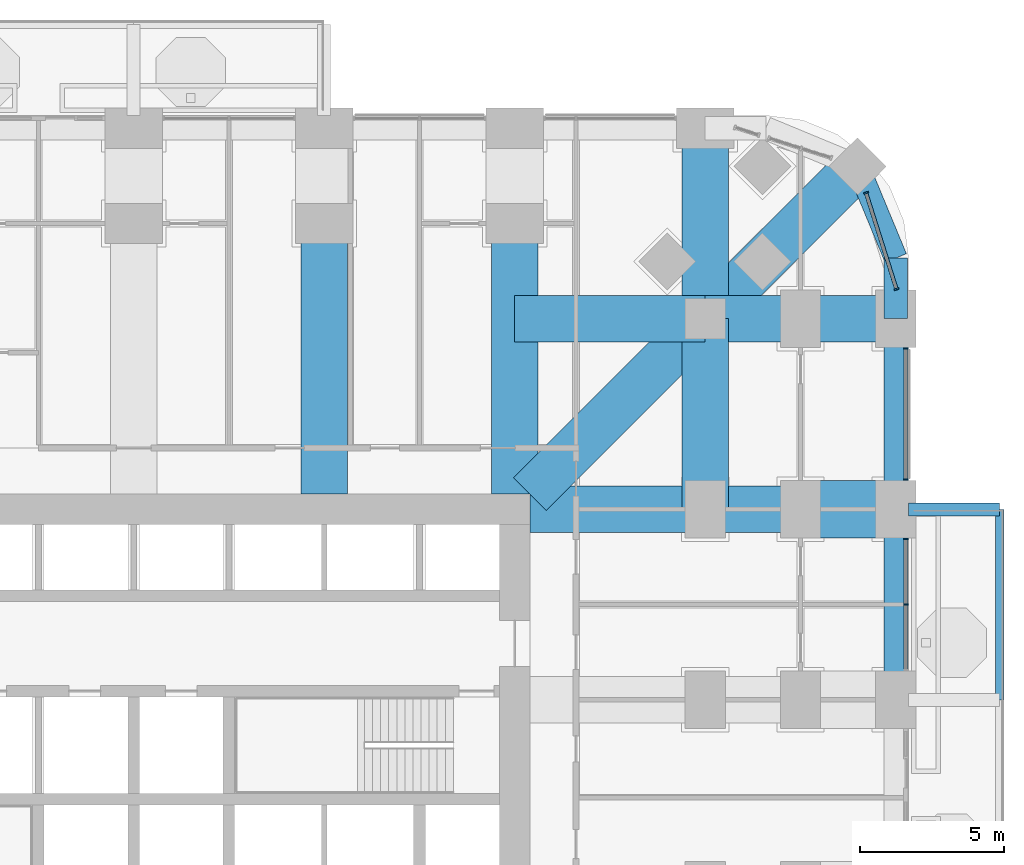
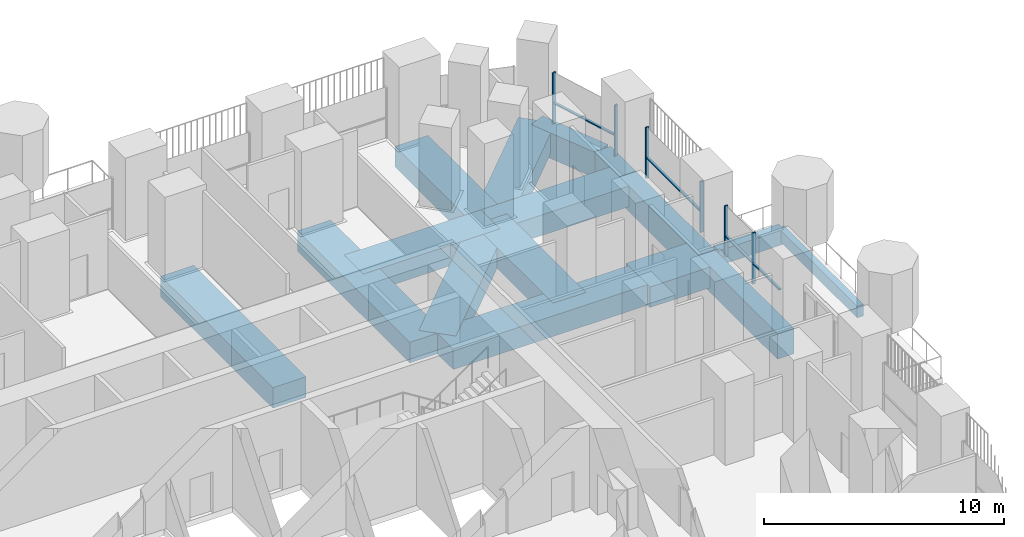
# One storey, part 8 of 25: 16 beams, 10 members, 3 elements without a shape of their own.
"""IFC4 building model written with IfcOpenShell, lengths in metres."""

from ifc_helpers import new_model, si_unit, direction, frame, origin, origin_2d, place, context, subcontext, project, spatial, rectangle, extrude, material, material_profile, profile_set, type_object, element, aggregate, save


model = new_model("IFC4")

# Units and contexts
model_context = context("Model", 3, precision=1e-05, world=origin(), true_north=direction((0.0, 1.0)))
body_context = subcontext(model_context, "Body", "Model", "MODEL_VIEW")
ifc_project = project(units=[si_unit("LENGTHUNIT", "METRE"), si_unit("AREAUNIT", "SQUARE_METRE"), si_unit("VOLUMEUNIT", "CUBIC_METRE"), si_unit("PLANEANGLEUNIT", "RADIAN"), si_unit("MASSUNIT", "GRAM", prefix="KILO")], contexts=[model_context])

# Site, building, storey
site_placement = place(None, origin())
site = spatial("IfcSite", under=ifc_project, at=site_placement, CompositionType="ELEMENT")
building_placement = place(site_placement, origin())
building = spatial("IfcBuilding", under=site, at=building_placement, Name="Cobogo Forest Laboratory Tower", CompositionType="ELEMENT")
storey_placement = place(building_placement, frame((0.0, 0.0, 67.5)))
storey = spatial("IfcBuildingStorey", under=building, at=storey_placement, Name="L15", CompositionType="ELEMENT", Elevation=67.5)

# Beams
ifc_material_1 = material(Name="Concrete HA-40 (C40/50)", Category="concrete")
ifc_material_profile_1 = material_profile(ifc_material_1, rectangle(XDim=0.449951171875, YDim=0.75, at=origin_2d()), Name="RC 450x750")
ifc_profile_set_1 = profile_set([ifc_material_profile_1], Name="Concrete HA-40 (C40/50)")
beam_type_1 = type_object("IfcBeamType", Name="Balcony cantilever beam 450x750", PredefinedType="BEAM", material=ifc_profile_set_1)
beam_1_placement = place(storey_placement, frame((53.25, 33.0, -0.625), z_axis=(1.0, 0.0, 0.0), x_axis=(0.0, 1.0, 0.0)))
element("IfcBeam", 1, at=beam_1_placement, inside=storey, type_object=beam_type_1, Name="CB1 BAL-E1-C3 L15", PredefinedType="BEAM", context=body_context, shape_type="SweptSolid", body=[
    extrude(rectangle(XDim=0.449951171875, YDim=0.75, at=origin_2d()), origin(), (0.0, 0.0, 1.0), 3.14990234375),
])
ifc_material_profile_2 = material_profile(ifc_material_1, rectangle(XDim=0.300048828125, YDim=0.60009765625, at=origin_2d()), Name="RC 300x600")
ifc_profile_set_2 = profile_set([ifc_material_profile_2], Name="Concrete HA-40 (C40/50)")
beam_type_2 = type_object("IfcBeamType", Name="Balcony edge beam 300x600", PredefinedType="BEAM", material=ifc_profile_set_2)
beam_2_placement = place(storey_placement, frame((56.39990234375, 26.39990234375, -0.550048828125), z_axis=(0.0, 1.0, 0.0), x_axis=(-1.0, 0.0, 0.0)))
element("IfcBeam", 2, at=beam_2_placement, inside=storey, type_object=beam_type_2, Name="BB1 BAL-E1-T2 L15", PredefinedType="BEAM", context=body_context, shape_type="SweptSolid", body=[
    extrude(rectangle(XDim=0.300048828125, YDim=0.60009765625, at=origin_2d()), origin(), (0.0, 0.0, 1.0), 6.60009765625),
])
ifc_material_2 = material(Name="Concrete HA-50 (C50/60)", Category="concrete")
ifc_material_profile_3 = material_profile(ifc_material_2, rectangle(XDim=2.0, YDim=1.050048828125, at=origin_2d()), Name="RC 2000x1050")
ifc_profile_set_3 = profile_set([ifc_material_profile_3], Name="Concrete HA-50 (C50/60)")
beam_type_3 = type_object("IfcBeamType", Name="End-bay wide beam 2000x1050", PredefinedType="BEAM", material=ifc_profile_set_3)
beam_3_placement = place(storey_placement, frame((52.800048828125, 33.0, -0.824951171875), z_axis=(-1.0, 0.0, 0.0), x_axis=(0.0, -1.0, 0.0)))
element("IfcBeam", 3, at=beam_3_placement, inside=storey, type_object=beam_type_3, Name="RB7 R-F-E-X L15", PredefinedType="BEAM", context=body_context, shape_type="SweptSolid", body=[
    extrude(rectangle(XDim=2.0, YDim=1.050048828125, at=origin_2d()), origin(), (0.0, 0.0, 1.0), 3.300048828125),
])
ifc_material_profile_4 = material_profile(ifc_material_2, rectangle(XDim=1.60009765625, YDim=1.050048828125, at=origin_2d()), Name="RC 1600x1050")
ifc_profile_set_4 = profile_set([ifc_material_profile_4], Name="Concrete HA-50 (C50/60)")
beam_type_4 = type_object("IfcBeamType", Name="Laboratory floor wide beam 1600x1050", PredefinedType="BEAM", material=ifc_profile_set_4)
for number, where, z_axis, x_axis, name in (
    (4, (33.0, 33.52490234375, -0.824951171875), (0.0, 1.0, 0.0), (-1.0, 0.0, 0.0), "RB8 R-6-N L15"),
    (5, (39.60009765625, 33.52490234375, -0.824951171875), (0.0, 1.0, 0.0), (-1.0, 0.0, 0.0), "RB8 R-7-N L15"),
    (6, (40.125, 33.0, -0.824951171875), (1.0, 0.0, 0.0), (0.0, 1.0, 0.0), "RB8 R-F-E L15"),
):
    element("IfcBeam", number, at=place(storey_placement, frame(where, z_axis=z_axis, x_axis=x_axis)), inside=storey, type_object=beam_type_4, Name=name, PredefinedType="BEAM", context=body_context, shape_type="SweptSolid", body=[
        extrude(rectangle(XDim=1.60009765625, YDim=1.050048828125, at=origin_2d()), origin(), (0.0, 0.0, 1.0), 9.375),
    ])
beam_4_placement = place(storey_placement, frame((46.199951171875, 46.199951171875, -0.824951171875), z_axis=(0.0, -1.0, 0.0), x_axis=(1.0, 0.0, 0.0)))
element("IfcBeam", 7, at=beam_4_placement, inside=storey, type_object=beam_type_4, Name="RB8 G-NE-XF L15", PredefinedType="BEAM", context=body_context, shape_type="SweptSolid", body=[
    extrude(rectangle(XDim=1.60009765625, YDim=1.050048828125, at=origin_2d()), origin(), (0.0, 0.0, 1.0), 6.599853515625),
])
for number, where, z_axis, x_axis, name in (
    (8, (46.199951171875, 39.60009765625, -0.824951171875), (0.0, -1.0, 0.0), (1.0, 0.0, 0.0), "RB8 G-NE-XC L15"),
    (9, (52.800048828125, 39.60009765625, -0.824951171875), (-1.0, 0.0, 0.0), (0.0, -1.0, 0.0), "RB8 G-NE-YF L15"),
):
    element("IfcBeam", number, at=place(storey_placement, frame(where, z_axis=z_axis, x_axis=x_axis)), inside=storey, type_object=beam_type_4, Name=name, PredefinedType="BEAM", context=body_context, shape_type="SweptSolid", body=[
        extrude(rectangle(XDim=1.60009765625, YDim=1.050048828125, at=origin_2d()), origin(), (0.0, 0.0, 1.0), 6.60009765625),
    ])
beam_5_placement = place(storey_placement, frame((46.199951171875, 39.60009765625, -0.824951171875), z_axis=(-1.0, 0.0, 0.0), x_axis=(0.0, -1.0, 0.0)))
element("IfcBeam", 10, at=beam_5_placement, inside=storey, type_object=beam_type_4, Name="RB8 G-NE-YC L15", PredefinedType="BEAM", context=body_context, shape_type="SweptSolid", body=[
    extrude(rectangle(XDim=1.60009765625, YDim=1.050048828125, at=origin_2d()), origin(), (0.0, 0.0, 1.0), 6.599853515625),
])
beam_6_placement = place(storey_placement, frame((51.48193359375, 44.882080078125, -0.824951171875), z_axis=(-0.707106781187, -0.707106781187, 0.0), x_axis=(0.707106781187, -0.707106781187, 0.0)))
element("IfcBeam", 11, at=beam_6_placement, inside=storey, type_object=beam_type_4, Name="RB8 G-NE-D1 L15", PredefinedType="BEAM", context=body_context, shape_type="SweptSolid", body=[
    extrude(rectangle(XDim=1.60009765625, YDim=1.050048828125, at=origin_2d()), origin(), (0.0, 0.0, 1.0), 7.469970703125),
])
beam_7_placement = place(storey_placement, frame((46.199951171875, 39.60009765625, -0.824951171875), z_axis=(-0.707092572697, -0.70712098939, 0.0), x_axis=(0.70712098939, -0.707092572697, 0.0)))
element("IfcBeam", 12, at=beam_7_placement, inside=storey, type_object=beam_type_4, Name="RB8 G-NE-D2 L15", PredefinedType="BEAM", context=body_context, shape_type="SweptSolid", body=[
    extrude(rectangle(XDim=1.60009765625, YDim=1.050048828125, at=origin_2d()), origin(), (0.0, 0.0, 1.0), 8.591552734375),
])

# Curtain wall, members
ifc_material_3 = material(Name="Aluminium curtain wall", Category="aluminium")
curtain_wall_type = type_object("IfcCurtainWallType", Name="CW-1 unitised curtain wall, clear glazing, laboratory floors zones A and B", PredefinedType="USERDEFINED", material=ifc_material_3)
curtain_wall_1_placement = place(storey_placement, origin())
curtain_wall_1 = element("IfcCurtainWall", 13, at=curtain_wall_1_placement, inside=storey, type_object=curtain_wall_type, Name="Curtain wall 13 L15", ObjectType="UNITISED CURTAIN WALL", PredefinedType="USERDEFINED")
ifc_material_4 = material(Name="Aluminium mullion", Category="aluminium")
ifc_material_profile_5 = material_profile(ifc_material_4, rectangle(XDim=0.06005859375, YDim=0.159912109375, at=origin_2d()), Name="AL 60x160")
ifc_profile_set_5 = profile_set([ifc_material_profile_5], Name="Aluminium mullion")
member_type_1 = type_object("IfcMemberType", Name="MU-1 aluminium mullion 60x160", PredefinedType="MULLION", material=ifc_profile_set_5)
member_1_placement = place(storey_placement, frame((53.14990234375, 29.699951171875, 0.0), z_axis=(0.0, 0.0, 1.0), x_axis=(0.0, 1.0, 0.0)))
member_1 = element("IfcMember", 14, at=member_1_placement, type_object=member_type_1, Name="CW-1 mullion 2", PredefinedType="MULLION", context=body_context, shape_type="SweptSolid", body=[
    extrude(rectangle(XDim=0.06005859375, YDim=0.159912109375, at=origin_2d()), origin(), (0.0, 0.0, 1.0), 2.60009765625),
])
member_2_placement = place(storey_placement, frame((53.14990234375, 31.969970703125, 0.0), z_axis=(0.0, 0.0, 1.0), x_axis=(0.0, 1.0, 0.0)))
member_2 = element("IfcMember", 15, at=member_2_placement, type_object=member_type_1, Name="CW-1 mullion 3", PredefinedType="MULLION", context=body_context, shape_type="SweptSolid", body=[
    extrude(rectangle(XDim=0.06005859375, YDim=0.159912109375, at=origin_2d()), origin(), (0.0, 0.0, 1.0), 2.60009765625),
])

curtain_wall_2_placement = place(storey_placement, origin())
curtain_wall_2 = element("IfcCurtainWall", 16, at=curtain_wall_2_placement, inside=storey, type_object=curtain_wall_type, Name="Curtain wall 14 L15", ObjectType="UNITISED CURTAIN WALL", PredefinedType="USERDEFINED")
member_3_placement = place(storey_placement, frame((53.14990234375, 34.030029296875, 0.0), z_axis=(0.0, 0.0, 1.0), x_axis=(0.0, 1.0, 0.0)))
member_3 = element("IfcMember", 17, at=member_3_placement, type_object=member_type_1, Name="CW-1 mullion 1", PredefinedType="MULLION", context=body_context, shape_type="SweptSolid", body=[
    extrude(rectangle(XDim=0.06005859375, YDim=0.159912109375, at=origin_2d()), origin(), (0.0, 0.0, 1.0), 2.60009765625),
])
member_4_placement = place(storey_placement, frame((53.14990234375, 38.570068359375, 0.0), z_axis=(0.0, 0.0, 1.0), x_axis=(0.0, 1.0, 0.0)))
member_4 = element("IfcMember", 18, at=member_4_placement, type_object=member_type_1, Name="CW-1 mullion 2", PredefinedType="MULLION", context=body_context, shape_type="SweptSolid", body=[
    extrude(rectangle(XDim=0.06005859375, YDim=0.159912109375, at=origin_2d()), origin(), (0.0, 0.0, 1.0), 2.60009765625),
])

curtain_wall_3_placement = place(storey_placement, origin())
curtain_wall_3 = element("IfcCurtainWall", 19, at=curtain_wall_3_placement, inside=storey, type_object=curtain_wall_type, Name="Curtain wall 15 L15", ObjectType="UNITISED CURTAIN WALL", PredefinedType="USERDEFINED")
member_5_placement = place(storey_placement, frame((52.8251953125, 40.628662109375, 0.0), z_axis=(0.0, 0.0, 1.0), x_axis=(-0.301135433696, 0.953581381201, 0.0)))
member_5 = element("IfcMember", 20, at=member_5_placement, type_object=member_type_1, Name="CW-1 mullion 1", PredefinedType="MULLION", context=body_context, shape_type="SweptSolid", body=[
    extrude(rectangle(XDim=0.06005859375, YDim=0.159912109375, at=origin_2d()), origin(), (0.0, 0.0, 1.0), 2.60009765625),
])
member_6_placement = place(storey_placement, frame((51.772705078125, 43.961181640625, 0.0), z_axis=(0.0, 0.0, 1.0), x_axis=(-0.301135433696, 0.953581381201, 0.0)))
member_6 = element("IfcMember", 21, at=member_6_placement, type_object=member_type_1, Name="CW-1 mullion 2", PredefinedType="MULLION", context=body_context, shape_type="SweptSolid", body=[
    extrude(rectangle(XDim=0.06005859375, YDim=0.159912109375, at=origin_2d()), origin(), (0.0, 0.0, 1.0), 2.60009765625),
])

# Beams
ifc_material_profile_6 = material_profile(ifc_material_1, rectangle(XDim=0.800048828125, YDim=1.300048828125, at=origin_2d()), Name="RC 800x1300")
ifc_profile_set_6 = profile_set([ifc_material_profile_6], Name="Concrete HA-40 (C40/50)")
beam_type_5 = type_object("IfcBeamType", Name="Perimeter edge beam 800x1300", PredefinedType="BEAM", material=ifc_profile_set_6)
for number, where, z_axis, x_axis, name in (
    (22, (52.800048828125, 26.39990234375, -0.949951171875), (0.0, 1.0, 0.0), (-1.0, 0.0, 0.0), "EB2 E-E4 L15"),
    (23, (52.800048828125, 33.0, -0.949951171875), (0.0, 1.0, 0.0), (-1.0, 0.0, 0.0), "EB2 E-E5 L15"),
):
    element("IfcBeam", number, at=place(storey_placement, frame(where, z_axis=z_axis, x_axis=x_axis)), inside=storey, type_object=beam_type_5, Name=name, PredefinedType="BEAM", context=body_context, shape_type="SweptSolid", body=[
        extrude(rectangle(XDim=0.800048828125, YDim=1.300048828125, at=origin_2d()), origin(), (0.0, 0.0, 1.0), 6.60009765625),
    ])
beam_8_placement = place(storey_placement, frame((52.800048828125, 39.60009765625, -0.949951171875), z_axis=(0.0, 1.0, 0.0), x_axis=(-1.0, 0.0, 0.0)))
element("IfcBeam", 24, at=beam_8_placement, inside=storey, type_object=beam_type_5, Name="EB2 E-NEE1 L15", PredefinedType="BEAM", context=body_context, shape_type="SweptSolid", body=[
    extrude(rectangle(XDim=0.800048828125, YDim=1.300048828125, at=origin_2d()), origin(), (0.0, 0.0, 1.0), 2.099853515625),
])
beam_9_placement = place(storey_placement, frame((52.800048828125, 41.699951171875, -0.949951171875), z_axis=(-0.382691928466, 0.923876013265, 0.0), x_axis=(-0.923876013265, -0.382691928466, 0.0)))
element("IfcBeam", 25, at=beam_9_placement, inside=storey, type_object=beam_type_5, Name="EB2 E-NEE2 L15", PredefinedType="BEAM", context=body_context, shape_type="SweptSolid", body=[
    extrude(rectangle(XDim=0.800048828125, YDim=1.300048828125, at=origin_2d()), origin(), (0.0, 0.0, 1.0), 3.4443359375),
])

# Member
ifc_material_5 = material(Name="Aluminium transom", Category="aluminium")
ifc_material_profile_7 = material_profile(ifc_material_5, rectangle(XDim=0.1201171875, YDim=0.06005859375, at=origin_2d()), Name="AL 60x120")
ifc_profile_set_7 = profile_set([ifc_material_profile_7], Name="Aluminium transom")
member_type_2 = type_object("IfcMemberType", Name="TR-1 aluminium transom 60x120", PredefinedType="USERDEFINED", material=ifc_profile_set_7)
member_7_placement = place(storey_placement, frame((53.14990234375, 27.4599609375, 1.050048828125), z_axis=(0.0, 1.0, 0.0), x_axis=(-1.0, 0.0, 0.0)))
member_7 = element("IfcMember", 26, at=member_7_placement, type_object=member_type_2, Name="CW-1 transom 1.1", ObjectType="TRANSOM", PredefinedType="USERDEFINED", context=body_context, shape_type="SweptSolid", body=[
    extrude(rectangle(XDim=0.1201171875, YDim=0.06005859375, at=origin_2d()), origin(), (0.0, 0.0, 1.0), 2.2099609375),
])

member_8_placement = place(storey_placement, frame((53.14990234375, 29.72998046875, 1.050048828125), z_axis=(0.0, 1.0, 0.0), x_axis=(-1.0, 0.0, 0.0)))
member_8 = element("IfcMember", 27, at=member_8_placement, type_object=member_type_2, Name="CW-1 transom 2.1", ObjectType="TRANSOM", PredefinedType="USERDEFINED", context=body_context, shape_type="SweptSolid", body=[
    extrude(rectangle(XDim=0.1201171875, YDim=0.06005859375, at=origin_2d()), origin(), (0.0, 0.0, 1.0), 2.2099609375),
])

aggregate(curtain_wall_1, [member_1, member_2, member_7, member_8])

member_9_placement = place(storey_placement, frame((53.14990234375, 34.06005859375, 1.050048828125), z_axis=(0.0, 1.0, 0.0), x_axis=(-1.0, 0.0, 0.0)))
member_9 = element("IfcMember", 28, at=member_9_placement, type_object=member_type_2, Name="CW-1 transom 1.1", ObjectType="TRANSOM", PredefinedType="USERDEFINED", context=body_context, shape_type="SweptSolid", body=[
    extrude(rectangle(XDim=0.1201171875, YDim=0.06005859375, at=origin_2d()), origin(), (0.0, 0.0, 1.0), 4.47998046875),
])

aggregate(curtain_wall_2, [member_3, member_4, member_9])

member_10_placement = place(storey_placement, frame((52.816162109375, 40.6572265625, 1.050048828125), z_axis=(-0.301155179686, 0.953575145308, 0.0), x_axis=(-0.953575145308, -0.301155179686, 0.0)))
member_10 = element("IfcMember", 29, at=member_10_placement, type_object=member_type_2, Name="CW-1 transom 1.1", ObjectType="TRANSOM", PredefinedType="USERDEFINED", context=body_context, shape_type="SweptSolid", body=[
    extrude(rectangle(XDim=0.1201171875, YDim=0.06005859375, at=origin_2d()), origin(), (0.0, 0.0, 1.0), 3.434814453125),
])

aggregate(curtain_wall_3, [member_5, member_6, member_10])

save(model, "model.ifc")
